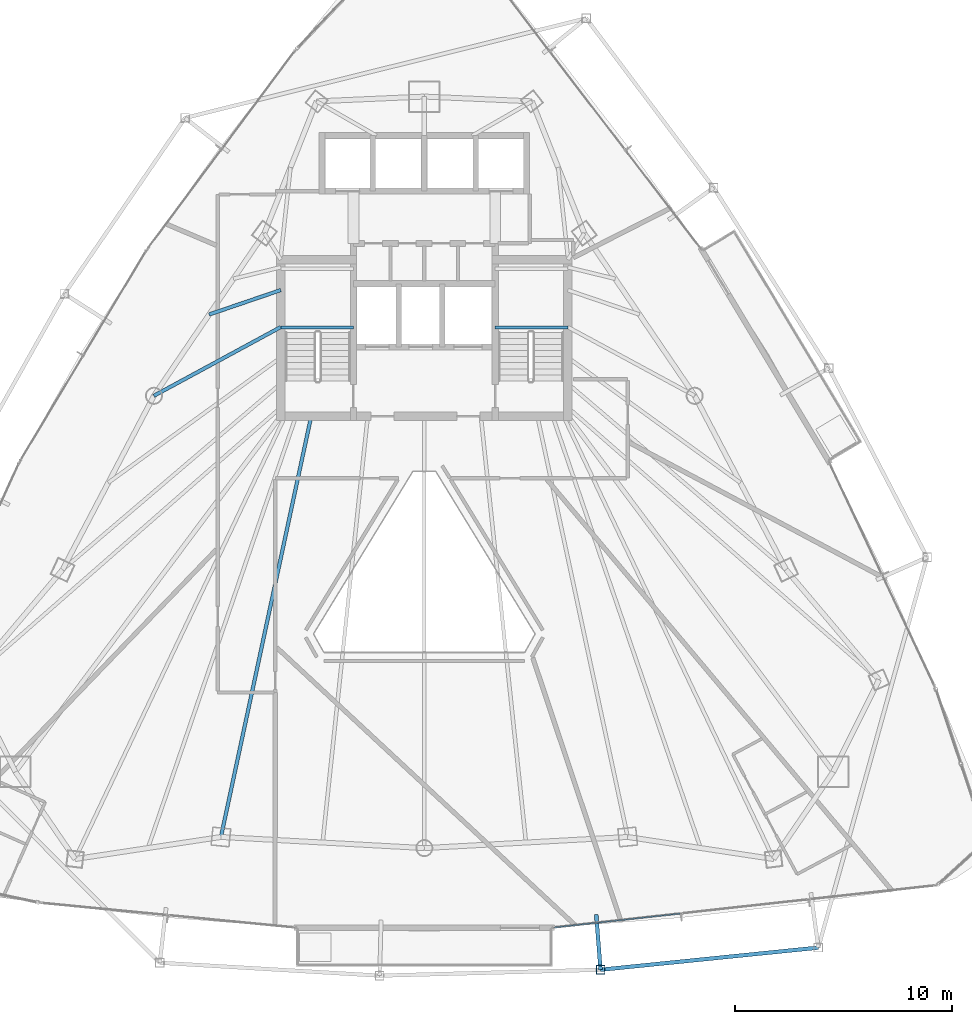
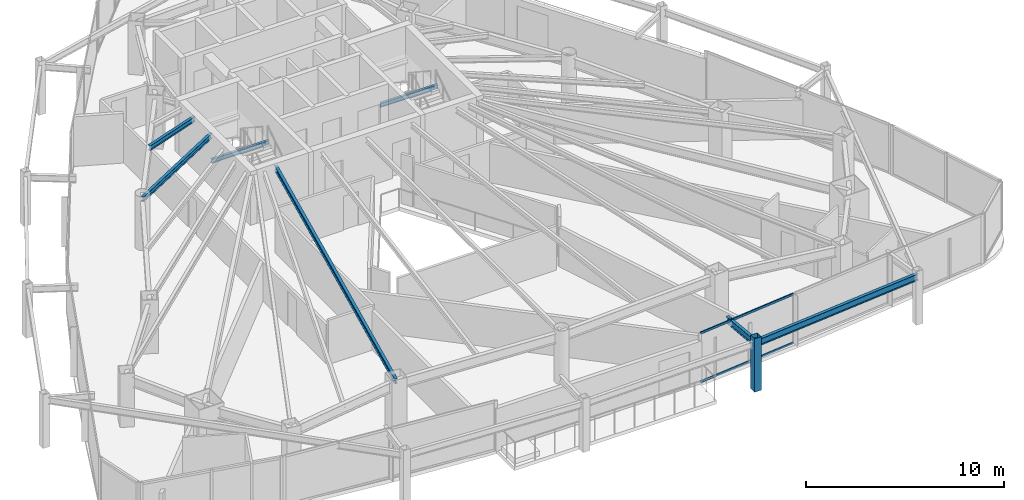
# One storey, part 12 of 31: 7 beams, 3 members, 1 element without a shape of its own.
"""IFC4 building model written with IfcOpenShell, lengths in metres."""

from ifc_helpers import new_model, si_unit, direction, frame, origin, origin_2d, place, context, subcontext, project, spatial, hollow_rectangle, i_section, extrude, material, layer, layer_set, material_profile, profile_set, type_object, element, aggregate, save


model = new_model("IFC4")

# Units and contexts
model_context = context("Model", 3, precision=1e-05, world=origin(), true_north=direction((0.0, 1.0)))
body_context = subcontext(model_context, "Body", "Model", "MODEL_VIEW")
ifc_project = project(units=[si_unit("LENGTHUNIT", "METRE"), si_unit("AREAUNIT", "SQUARE_METRE"), si_unit("VOLUMEUNIT", "CUBIC_METRE"), si_unit("PLANEANGLEUNIT", "RADIAN"), si_unit("MASSUNIT", "GRAM", prefix="KILO")], contexts=[model_context])

# Site, building, storey
site_placement = place(None, origin())
site = spatial("IfcSite", under=ifc_project, at=site_placement, CompositionType="ELEMENT")
building_placement = place(site_placement, origin())
building = spatial("IfcBuilding", under=site, at=building_placement, Name="Orvanel Arch Residences", CompositionType="ELEMENT")
storey_placement = place(building_placement, frame((0.0, 0.0, 129.800048828125)))
storey = spatial("IfcBuildingStorey", under=building, at=storey_placement, Name="L36", CompositionType="ELEMENT", Elevation=129.800048828125)

# Beams
ifc_material_1 = material(Name="Structural steel AS/NZS 3679.1 Grade 300 (300 MPa)", Category="steel")
ifc_material_profile_1 = material_profile(ifc_material_1, i_section(OverallWidth=0.14599609375, OverallDepth=0.251953125, WebThickness=0.006103515625, FlangeThickness=0.008544921875, at=origin_2d()), Name="250UB31.4")
ifc_profile_set_1 = profile_set([ifc_material_profile_1], Name="Structural steel AS/NZS 3679.1 Grade 300 (300 MPa)")
beam_type_1 = type_object("IfcBeamType", Name="BJ-250UB", PredefinedType="JOIST", material=ifc_profile_set_1)
for number, where, z_axis, x_axis, name in (
    (1, (26.39990234375, 30.780029296875, 1.323974609375), (1.0, 0.0, 0.0), (0.0, 1.0, 0.0), "L36 ST-1 Half-Landing Support Beam 1.1"),
    (2, (36.25, 30.780029296875, 1.323974609375), (1.0, 0.0, 0.0), (0.0, 1.0, 0.0), "L36 ST-2 Half-Landing Support Beam 1.1"),
):
    element("IfcBeam", number, at=place(storey_placement, frame(where, z_axis=z_axis, x_axis=x_axis)), inside=storey, type_object=beam_type_1, Name=name, PredefinedType="JOIST", context=body_context, shape_type="SweptSolid", body=[
        extrude(i_section(OverallWidth=0.14599609375, OverallDepth=0.251953125, WebThickness=0.006103515625, FlangeThickness=0.008544921875, at=origin_2d()), origin(), (0.0, 0.0, 1.0), 3.35009765625),
    ])
ifc_material_profile_2 = material_profile(ifc_material_1, i_section(OverallWidth=0.1650390625, OverallDepth=0.303955078125, WebThickness=0.006103515625, FlangeThickness=0.01025390625, at=origin_2d()), Name="310UB40.4")
ifc_profile_set_2 = profile_set([ifc_material_profile_2], Name="Structural steel AS/NZS 3679.1 Grade 300 (300 MPa)")
beam_type_2 = type_object("IfcBeamType", Name="BJ-310UB", PredefinedType="JOIST", material=ifc_profile_set_2)
beam_1_placement = place(storey_placement, frame((26.39990234375, 30.800048828125, 2.907958984375), z_axis=(-0.87925534649, -0.476350748576, 0.0), x_axis=(0.476350748576, -0.87925534649, 0.0)))
element("IfcBeam", 3, at=beam_1_placement, inside=storey, type_object=beam_type_2, Name="L36 NW Wing Floor Joist", PredefinedType="JOIST", context=body_context, shape_type="SweptSolid", body=[
    extrude(i_section(OverallWidth=0.1650390625, OverallDepth=0.303955078125, WebThickness=0.006103515625, FlangeThickness=0.01025390625, at=origin_2d()), origin(), (0.0, 0.0, 1.0), 6.631591796875),
])
beam_2_placement = place(storey_placement, frame((27.800048828125, 26.699951171875, 2.907958984375), z_axis=(-0.209808012425, -0.977742603103, 0.0), x_axis=(0.977742603103, -0.209808012425, 0.0)))
element("IfcBeam", 4, at=beam_2_placement, inside=storey, type_object=beam_type_2, Name="L36 SW Wing Floor Joist", PredefinedType="JOIST", context=body_context, shape_type="SweptSolid", body=[
    extrude(i_section(OverallWidth=0.1650390625, OverallDepth=0.303955078125, WebThickness=0.006103515625, FlangeThickness=0.01025390625, at=origin_2d()), origin(), (0.0, 0.0, 1.0), 19.785400390625),
])
beam_3_placement = place(storey_placement, frame((26.39990234375, 32.5, 2.907958984375), z_axis=(-0.946441958332, -0.322873999431, 0.0), x_axis=(0.322873999431, -0.946441958332, 0.0)))
element("IfcBeam", 5, at=beam_3_placement, inside=storey, type_object=beam_type_2, Name="L36 WNW Wing Floor Joist", PredefinedType="JOIST", context=body_context, shape_type="SweptSolid", body=[
    extrude(i_section(OverallWidth=0.1650390625, OverallDepth=0.303955078125, WebThickness=0.006103515625, FlangeThickness=0.01025390625, at=origin_2d()), origin(), (0.0, 0.0, 1.0), 3.478271484375),
])
ifc_material_profile_3 = material_profile(ifc_material_1, i_section(OverallWidth=0.177978515625, OverallDepth=0.406005859375, WebThickness=0.0078125, FlangeThickness=0.0126953125, at=origin_2d()), Name="410UB59.7")
ifc_profile_set_3 = profile_set([ifc_material_profile_3], Name="Structural steel AS/NZS 3679.1 Grade 300 (300 MPa)")
beam_type_3 = type_object("IfcBeamType", Name="OB-410UB-EXT", PredefinedType="SPANDREL", material=ifc_profile_set_3)
beam_4_placement = place(storey_placement, frame((40.904052734375, 3.7919921875, 2.85693359375), z_axis=(0.077655683152, -0.996980237956, 0.0), x_axis=(0.996980237956, 0.077655683152, 0.0)))
element("IfcBeam", 6, at=beam_4_placement, inside=storey, type_object=beam_type_3, Name="L36 Outer Frame Radial Tie Beam 07", PredefinedType="SPANDREL", context=body_context, shape_type="SweptSolid", body=[
    extrude(i_section(OverallWidth=0.177978515625, OverallDepth=0.406005859375, WebThickness=0.0078125, FlangeThickness=0.0126953125, at=origin_2d()), origin(), (0.0, 0.0, 1.0), 2.5498046875),
])
beam_5_placement = place(storey_placement, frame((41.10205078125, 1.25, 2.85693359375), z_axis=(0.994882564825, 0.101038023575, 0.0), x_axis=(-0.101038023575, 0.994882564825, 0.0)))
element("IfcBeam", 7, at=beam_5_placement, inside=storey, type_object=beam_type_3, Name="L36 Outer Perimeter Floor Ring Beam 07", PredefinedType="SPANDREL", context=body_context, shape_type="SweptSolid", body=[
    extrude(i_section(OverallWidth=0.177978515625, OverallDepth=0.406005859375, WebThickness=0.0078125, FlangeThickness=0.0126953125, at=origin_2d()), origin(), (0.0, 0.0, 1.0), 10.06640625),
])

# Member
ifc_material_2 = material(Name="Structural steel AS/NZS 1163 C450L0 (Grade 450)", Category="steel")
ifc_material_profile_4 = material_profile(ifc_material_2, hollow_rectangle(XDim=0.39990234375, YDim=0.39990234375, WallThickness=0.01611328125, at=origin_2d()), Name="SHS400x400x16")
ifc_profile_set_4 = profile_set([ifc_material_profile_4], Name="Structural steel AS/NZS 1163 C450L0 (Grade 450)")
member_type_1 = type_object("IfcMemberType", Name="ST-400SHS-EXT", PredefinedType="STRUT", material=ifc_profile_set_4)
member_1_placement = place(storey_placement, frame((41.10205078125, 1.25, 0.0), z_axis=(0.0, 0.0, 1.0), x_axis=(1.0, 0.0, 0.0)))
element("IfcMember", 8, at=member_1_placement, inside=storey, type_object=member_type_1, Name="L36 Outer Perimeter Frame Post 07", PredefinedType="STRUT", context=body_context, shape_type="SweptSolid", body=[
    extrude(hollow_rectangle(XDim=0.39990234375, YDim=0.39990234375, WallThickness=0.01611328125, at=origin_2d()), origin(), (0.0, 0.0, 1.0), 3.300048828125),
])

# Curtain wall, members
ifc_material_3 = material(Name="Bronze-anodised aluminium AA6063-T6", Category="aluminium")
ifc_layer = layer(ifc_material_3, 0.179931640625)
ifc_layer_set = layer_set([ifc_layer], Name="Bronze-anodised aluminium AA6063-T6")
curtain_wall_type = type_object("IfcCurtainWallType", Name="CW3-MID-SYS", PredefinedType="NOTDEFINED", material=ifc_layer_set)
curtain_wall_placement = place(storey_placement, origin())
curtain_wall = element("IfcCurtainWall", 9, at=curtain_wall_placement, inside=storey, type_object=curtain_wall_type, Name="L36 CW3-MID-SYS Unitised Curtain Wall", PredefinedType="NOTDEFINED")
ifc_material_profile_5 = material_profile(ifc_material_3, hollow_rectangle(XDim=0.06005859375, YDim=0.135009765625, WallThickness=0.00390625, at=origin_2d()), Name="ALU135x60x4")
ifc_profile_set_5 = profile_set([ifc_material_profile_5], Name="Bronze-anodised aluminium AA6063-T6")
member_type_2 = type_object("IfcMemberType", Name="TRN-135x60", PredefinedType="USERDEFINED", material=ifc_profile_set_5)
member_2_placement = place(storey_placement, frame((38.984619140625, 3.194580078125, 0.030029296875), z_axis=(0.993971530717, 0.109638479214, 0.0), x_axis=(-0.109638479214, 0.993971530717, 0.0)))
member_2 = element("IfcMember", 10, at=member_2_placement, type_object=member_type_2, Name="CW-S3 transom 1.1", ObjectType="TRANSOM", PredefinedType="USERDEFINED", context=body_context, shape_type="SweptSolid", body=[
    extrude(hollow_rectangle(XDim=0.06005859375, YDim=0.135009765625, WallThickness=0.00390625, at=origin_2d()), origin(), (0.0, 0.0, 1.0), 5.81201171875),
])
member_3_placement = place(storey_placement, frame((38.984619140625, 3.194580078125, 3.030029296875), z_axis=(0.993971530717, 0.109638479214, 0.0), x_axis=(-0.109638479214, 0.993971530717, 0.0)))
member_3 = element("IfcMember", 11, at=member_3_placement, type_object=member_type_2, Name="CW-S3 transom 1.2", ObjectType="TRANSOM", PredefinedType="USERDEFINED", context=body_context, shape_type="SweptSolid", body=[
    extrude(hollow_rectangle(XDim=0.06005859375, YDim=0.135009765625, WallThickness=0.00390625, at=origin_2d()), origin(), (0.0, 0.0, 1.0), 5.81201171875),
])
aggregate(curtain_wall, [member_2, member_3])

save(model, "model.ifc")
